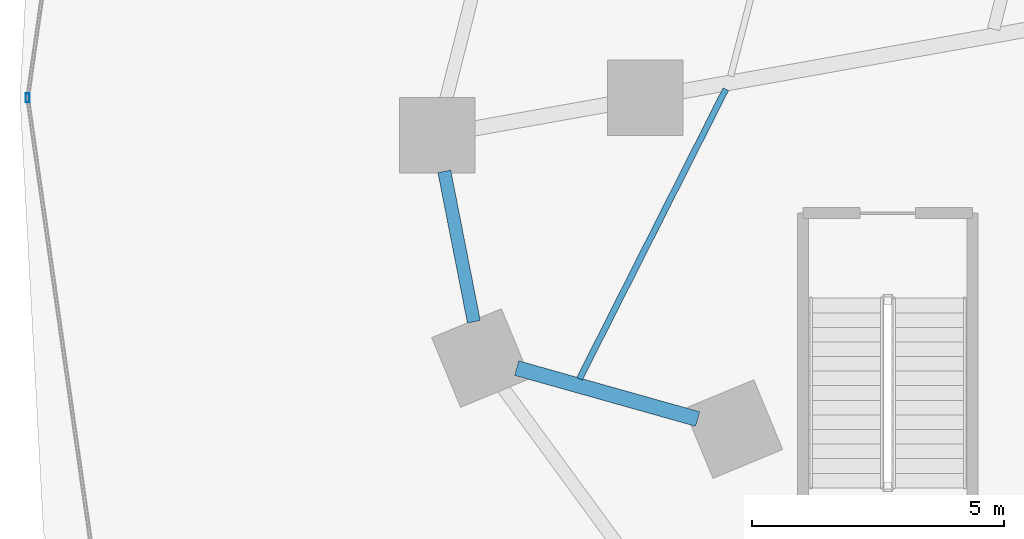
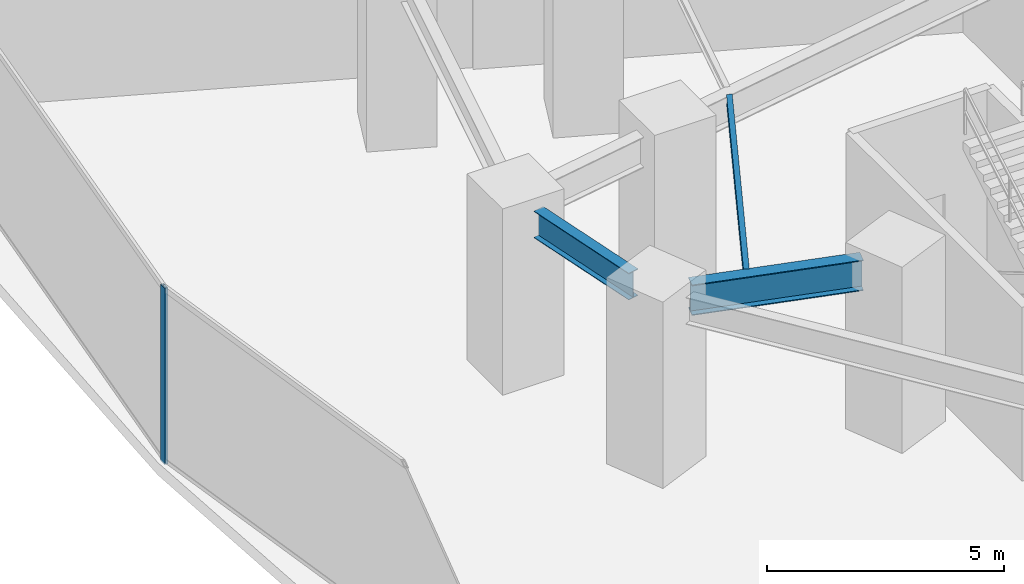
# One storey, part 6 of 27: 3 beams, 1 member, 1 element without a shape of its own.
"""IFC4 building model written with IfcOpenShell, lengths in metres."""

import ifcopenshell
import ifcopenshell.guid

model = None  # the IFC model being written
_history = None  # IfcOwnerHistory: only IFC2X3 demands one
_inside = {}  # id of a spatial element -> (the spatial element, [elements in it])
_under = {}  # id of a project, library or spatial element -> (it, [spatial elements below it])
_declared = {}  # id of a project -> (the project, [libraries it declares])
_typed = {}  # id of a type object -> (the type object, [elements of that type])
_made_of = {}  # id of a material, layer set ... -> (it, [elements and type objects made of it])


def new_model(schema):
    """Start an empty IFC model of exactly this schema.

    Asked for "IFC4X3", IfcOpenShell would pick the latest addendum, in which some entities
    have other attributes; the version numbers below select the first issue.
    IFC2X3 requires an IfcOwnerHistory on every rooted entity: one is made here for all.
    """
    global model, _history
    if schema == "IFC4X3":
        model = ifcopenshell.file(schema_version=(4, 3, 0, 0))
    else:
        model = ifcopenshell.file(schema=schema)
    _inside.clear()
    _under.clear()
    _declared.clear()
    _typed.clear()
    _made_of.clear()
    _history = None
    if model.schema == "IFC2X3":
        org = make("IfcOrganization", Name="unknown")
        user = make(
            "IfcPersonAndOrganization",
            ThePerson=make("IfcPerson", FamilyName="unknown"),
            TheOrganization=org,
        )
        app = make(
            "IfcApplication",
            ApplicationDeveloper=org,
            Version="unknown",
            ApplicationFullName="unknown",
            ApplicationIdentifier="unknown",
        )
        _history = make(
            "IfcOwnerHistory",
            OwningUser=user,
            OwningApplication=app,
            ChangeAction="ADDED",
            CreationDate=0,
        )
    return model


def make(cls, **values):
    """One entity of the class cls with the attributes given. An attribute that is None is left unset."""
    return model.create_entity(
        cls, **{name: value for name, value in values.items() if value is not None}
    )


def rooted(cls, **values):
    """An entity with a GlobalId (a new one), such as an element, a storey or a relation."""
    return make(cls, GlobalId=ifcopenshell.guid.new(), OwnerHistory=_history, **values)


def si_unit(unit_type, name, prefix=None):
    """IfcSIUnit, for example si_unit("LENGTHUNIT", "METRE", prefix="MILLI")."""
    return make("IfcSIUnit", UnitType=unit_type, Prefix=prefix, Name=name)


def assignment(units):
    """IfcUnitAssignment: the units of a project."""
    return None if units is None else make("IfcUnitAssignment", Units=units)


def point(xyz):
    """IfcCartesianPoint."""
    return None if xyz is None else make("IfcCartesianPoint", Coordinates=xyz)


def direction(xyz):
    """IfcDirection."""
    return None if xyz is None else make("IfcDirection", DirectionRatios=xyz)


def frame(location, z_axis=None, x_axis=None):
    """IfcAxis2Placement3D, a coordinate frame: its origin and axes. An axis left out is left unset."""
    return make(
        "IfcAxis2Placement3D",
        Location=point(location),
        Axis=direction(z_axis),
        RefDirection=direction(x_axis),
    )


def frame_2d(location, x_axis=None):
    """IfcAxis2Placement2D, a coordinate frame in the plane: its origin and x axis."""
    return make(
        "IfcAxis2Placement2D", Location=point(location), RefDirection=direction(x_axis)
    )


def origin():
    """The frame at (0, 0, 0) with its axes left unset."""
    return frame((0.0, 0.0, 0.0))


def origin_2d():
    """The frame at (0, 0) in the plane with its x axis left unset."""
    return frame_2d((0.0, 0.0))


def place(relative_to, where):
    """IfcLocalPlacement: puts the frame where relative to a parent placement (None: the world)."""
    return make(
        "IfcLocalPlacement", PlacementRelTo=relative_to, RelativePlacement=where
    )


def context(
    kind, dimensions, precision=None, world=None, true_north=None, identifier=None
):
    """IfcGeometricRepresentationContext, for example the 3D "Model" context."""
    return make(
        "IfcGeometricRepresentationContext",
        ContextIdentifier=identifier,
        ContextType=kind,
        CoordinateSpaceDimension=dimensions,
        Precision=precision,
        WorldCoordinateSystem=world,
        TrueNorth=true_north,
    )


def subcontext(parent, identifier, kind, view, scale=None):
    """IfcGeometricRepresentationSubContext, for example "Body" below "Model"."""
    return make(
        "IfcGeometricRepresentationSubContext",
        ContextIdentifier=identifier,
        ContextType=kind,
        ParentContext=parent,
        TargetScale=scale,
        TargetView=view,
    )


def project(units=None, contexts=None):
    """IfcProject with its units and contexts."""
    return rooted(
        "IfcProject",
        Name="project",
        RepresentationContexts=contexts,
        UnitsInContext=assignment(units),
    )


def spatial(cls, under=None, at=None, **own):
    """A site, building, storey or space (cls), placed at a placement, below another one or the project."""
    s = rooted(cls, ObjectPlacement=at, **own)
    if under is not None:
        _under.setdefault(under.id(), (under, []))[1].append(s)
    return s


def profile(cls, at=None, kind="AREA", **sizes):
    """A parametric profile (cls). Its sizes go by their IFC names, for example OverallWidth=200.0."""
    return make(cls, ProfileType=kind, Position=at, **sizes)


def hollow_rectangle(**sizes):
    """IfcRectangleHollowProfileDef."""
    return profile("IfcRectangleHollowProfileDef", **sizes)


def i_section(**sizes):
    """IfcIShapeProfileDef."""
    return profile("IfcIShapeProfileDef", **sizes)


def extrude(swept, where, along, depth):
    """IfcExtrudedAreaSolid: the profile swept, set in the frame where, extruded along a direction by depth."""
    return make(
        "IfcExtrudedAreaSolid",
        SweptArea=swept,
        Position=where,
        ExtrudedDirection=direction(along),
        Depth=depth,
    )


def shape(context_of_items, identifier, shape_type, items):
    """IfcShapeRepresentation: the items that make up one representation, for example the "Body"."""
    return make(
        "IfcShapeRepresentation",
        ContextOfItems=context_of_items,
        RepresentationIdentifier=identifier,
        RepresentationType=shape_type,
        Items=items,
    )


def material(Name=None, Category=None):
    """IfcMaterial."""
    return make("IfcMaterial", Name=Name, Category=Category)


def material_profile(
    of_material, cross_section, Name=None, Category=None, Priority=None
):
    """IfcMaterialProfile: a cross section and its material."""
    return make(
        "IfcMaterialProfile",
        Name=Name,
        Material=of_material,
        Profile=cross_section,
        Priority=Priority,
        Category=Category,
    )


def profile_set(profiles, Name=None, composite=None):
    """IfcMaterialProfileSet."""
    return make(
        "IfcMaterialProfileSet",
        Name=Name,
        MaterialProfiles=profiles,
        CompositeProfile=composite,
    )


def made_of(thing, what):
    """Note that an element or type object is made of a material, layer set ...; save() writes the relation."""
    if what is not None:
        _made_of.setdefault(what.id(), (what, []))[1].append(thing)
    return thing


def type_object(cls, material=None, **own):
    """A type object (cls), such as IfcWallType, which elements share."""
    return made_of(rooted(cls, **own), material)


def element(
    cls,
    number,
    at=None,
    inside=None,
    cuts=None,
    type_object=None,
    material=None,
    context=None,
    identifier="Body",
    shape_type=None,
    held_by="IfcProductDefinitionShape",
    body=None,
    shapes=None,
    **own,
):
    """One element of the class cls, such as IfcWall. Its Tag is "e" and its number.

    at: its placement. inside: the storey or other place that contains it. cuts: it is an
    opening in that element (IfcRelVoidsElement). A single representation is given by context,
    identifier, shape_type and body (its items); several are given by shapes. held_by: the class
    of the entity that holds the representations. save() writes the other relations.
    """
    e = rooted(cls, Tag="e%d" % number, ObjectPlacement=at, **own)
    if body is not None:
        shapes = [shape(context, identifier, shape_type, body)]
    if shapes is not None:
        e.Representation = make(held_by, Representations=shapes)
    if inside is not None:
        _inside.setdefault(inside.id(), (inside, []))[1].append(e)
    if cuts is not None:
        rooted(
            "IfcRelVoidsElement", RelatingBuildingElement=cuts, RelatedOpeningElement=e
        )
    if type_object is not None:
        _typed.setdefault(type_object.id(), (type_object, []))[1].append(e)
    return made_of(e, material)


def aggregate(whole, parts):
    """IfcRelAggregates: a whole, such as a stair, and the parts it consists of."""
    return rooted("IfcRelAggregates", RelatingObject=whole, RelatedObjects=parts)


def save(model, path):
    """Write the relations noted so far, then the file.

    IfcRelAggregates (storeys below a building ...), IfcRelContainedInSpatialStructure (elements
    in a storey), IfcRelDefinesByType, IfcRelAssociatesMaterial and IfcRelDeclares: one each for
    every whole, place, type object, material and project.
    """
    for whole, parts in _under.values():
        aggregate(whole, parts)
    for where, things in _inside.values():
        rooted(
            "IfcRelContainedInSpatialStructure",
            RelatedElements=things,
            RelatingStructure=where,
        )
    for kind, things in _typed.values():
        rooted("IfcRelDefinesByType", RelatedObjects=things, RelatingType=kind)
    for what, things in _made_of.values():
        rooted("IfcRelAssociatesMaterial", RelatedObjects=things, RelatingMaterial=what)
    for by, libraries in _declared.values():
        rooted("IfcRelDeclares", RelatingContext=by, RelatedDefinitions=libraries)
    model.write(path)


model = new_model("IFC4")

# Units and contexts
model_context = context("Model", 3, precision=1e-05, world=origin(), true_north=direction((0.0, 1.0)))
body_context = subcontext(model_context, "Body", "Model", "MODEL_VIEW")
ifc_project = project(units=[si_unit("LENGTHUNIT", "METRE"), si_unit("AREAUNIT", "SQUARE_METRE"), si_unit("VOLUMEUNIT", "CUBIC_METRE"), si_unit("PLANEANGLEUNIT", "RADIAN"), si_unit("MASSUNIT", "GRAM", prefix="KILO")], contexts=[model_context])

# Site, building, storey
site_placement = place(None, origin())
site = spatial("IfcSite", under=ifc_project, at=site_placement, CompositionType="ELEMENT")
building_placement = place(site_placement, origin())
building = spatial("IfcBuilding", under=site, at=building_placement, Name="Vorneva Point Tower", CompositionType="ELEMENT")
storey_placement = place(building_placement, frame((0.0, 0.0, 4.800048828125)))
storey = spatial("IfcBuildingStorey", under=building, at=storey_placement, Name="L01", CompositionType="ELEMENT", Elevation=4.800048828125)

# Beams
ifc_material_1 = material(Name="Steel S355", Category="steel")
ifc_material_profile_1 = material_profile(ifc_material_1, i_section(OverallWidth=0.300048828125, OverallDepth=0.7880859375, WebThickness=0.014404296875, FlangeThickness=0.02197265625, at=origin_2d()), Name="80Sh1")
ifc_profile_set_1 = profile_set([ifc_material_profile_1], Name="Steel S355")
beam_type_1 = type_object("IfcBeamType", Name="BM-GRD-80Sh1", PredefinedType="USERDEFINED", material=ifc_profile_set_1)
beam_1_placement = place(storey_placement, frame((12.3984375, 20.629638671875, 4.0859375), z_axis=(0.962604080358, -0.27091213424, 0.0), x_axis=(0.27091213424, 0.962604080358, 0.0)))
element("IfcBeam", 1, at=beam_1_placement, inside=storey, type_object=beam_type_1, Name="L01 Radial Primary Girder 10", ObjectType="GIRDER", PredefinedType="USERDEFINED", context=body_context, shape_type="SweptSolid", body=[
    extrude(i_section(OverallWidth=0.300048828125, OverallDepth=0.7880859375, WebThickness=0.014404296875, FlangeThickness=0.02197265625, at=origin_2d()), origin(), (0.0, 0.0, 1.0), 3.7353515625),
])
ifc_material_profile_2 = material_profile(ifc_material_1, i_section(OverallWidth=0.1240234375, OverallDepth=0.248046875, WebThickness=0.0048828125, FlangeThickness=0.008056640625, at=origin_2d()), Name="25B1")
ifc_profile_set_2 = profile_set([ifc_material_profile_2], Name="Steel S355")
beam_type_2 = type_object("IfcBeamType", Name="BM-JST-25B1", PredefinedType="JOIST", material=ifc_profile_set_2)
beam_2_placement = place(storey_placement, frame((16.5546875, 26.1748046875, 4.35595703125), z_axis=(-0.450874688961, -0.892587258958, 0.0), x_axis=(0.892587258958, -0.450874688961, 0.0)))
element("IfcBeam", 2, at=beam_2_placement, inside=storey, type_object=beam_type_2, Name="L01 Secondary Floor Beam 1.09", PredefinedType="JOIST", context=body_context, shape_type="SweptSolid", body=[
    extrude(i_section(OverallWidth=0.1240234375, OverallDepth=0.248046875, WebThickness=0.0048828125, FlangeThickness=0.008056640625, at=origin_2d()), origin(), (0.0, 0.0, 1.0), 6.448486328125),
])
ifc_material_profile_3 = material_profile(ifc_material_1, i_section(OverallWidth=0.260009765625, OverallDepth=0.69091796875, WebThickness=0.011962890625, FlangeThickness=0.015380859375, at=origin_2d()), Name="70B1")
ifc_profile_set_3 = profile_set([ifc_material_profile_3], Name="Steel S355")
beam_type_3 = type_object("IfcBeamType", Name="BM-SPN-70B1", PredefinedType="SPANDREL", material=ifc_profile_set_3)
beam_3_placement = place(storey_placement, frame((10.95947265625, 24.539794921875, 4.134521484375), z_axis=(0.192677778742, -0.981262082004, 0.0), x_axis=(0.981262082004, 0.192677778742, 0.0)))
element("IfcBeam", 3, at=beam_3_placement, inside=storey, type_object=beam_type_3, Name="L01 Perimeter Spandrel Ring Beam 09", PredefinedType="SPANDREL", context=body_context, shape_type="SweptSolid", body=[
    extrude(i_section(OverallWidth=0.260009765625, OverallDepth=0.69091796875, WebThickness=0.011962890625, FlangeThickness=0.015380859375, at=origin_2d()), origin(), (0.0, 0.0, 1.0), 3.046142578125),
])

# Curtain wall, member
ifc_material_2 = material(Name="Pale anodised aluminium", Category="aluminium")
curtain_wall_type = type_object("IfcCurtainWallType", Name="CW-POD-SYS", PredefinedType="NOTDEFINED", material=ifc_material_2)
curtain_wall_placement = place(storey_placement, origin())
curtain_wall = element("IfcCurtainWall", 4, at=curtain_wall_placement, inside=storey, type_object=curtain_wall_type, Name="L01 Unitised Curtain Wall CW-L01-R03", PredefinedType="NOTDEFINED")
ifc_material_profile_4 = material_profile(ifc_material_2, hollow_rectangle(XDim=0.074951171875, YDim=0.179931640625, WallThickness=0.00390625, at=origin_2d()), Name="AL-MUL 180x75x4")
ifc_profile_set_4 = profile_set([ifc_material_profile_4], Name="Pale anodised aluminium")
member_type = type_object("IfcMemberType", Name="CW-MUL-180", PredefinedType="MULLION", material=ifc_profile_set_4)
member_placement = place(storey_placement, frame((2.677978515625, 26.0, -0.0400390625), z_axis=(0.0, 0.0, 1.0), x_axis=(1.0, 0.0, 0.0)))
member = element("IfcMember", 5, at=member_placement, type_object=member_type, Name="CW-L01-R03 Mullion 02", PredefinedType="MULLION", context=body_context, shape_type="SweptSolid", body=[
    extrude(hollow_rectangle(XDim=0.074951171875, YDim=0.179931640625, WallThickness=0.00390625, at=origin_2d()), origin(), (0.0, 0.0, 1.0), 4.550048828125),
])
aggregate(curtain_wall, [member])

save(model, "model.ifc")
